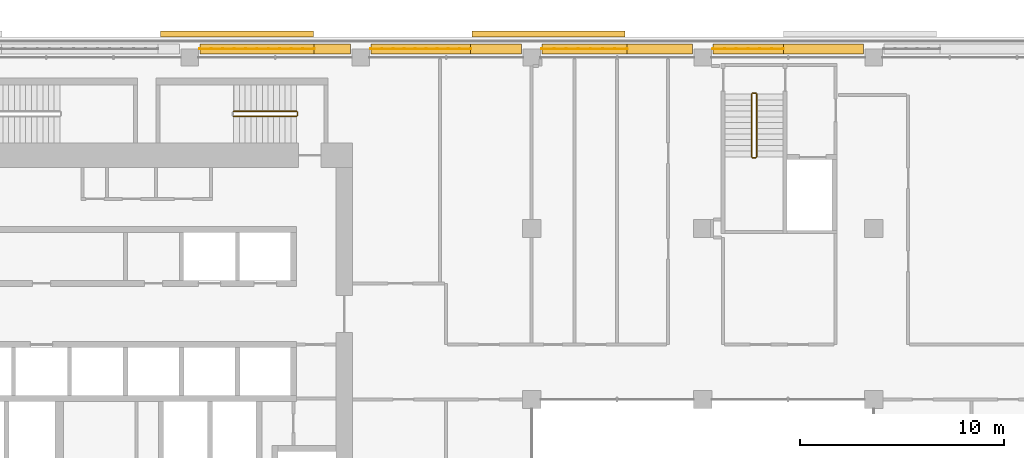
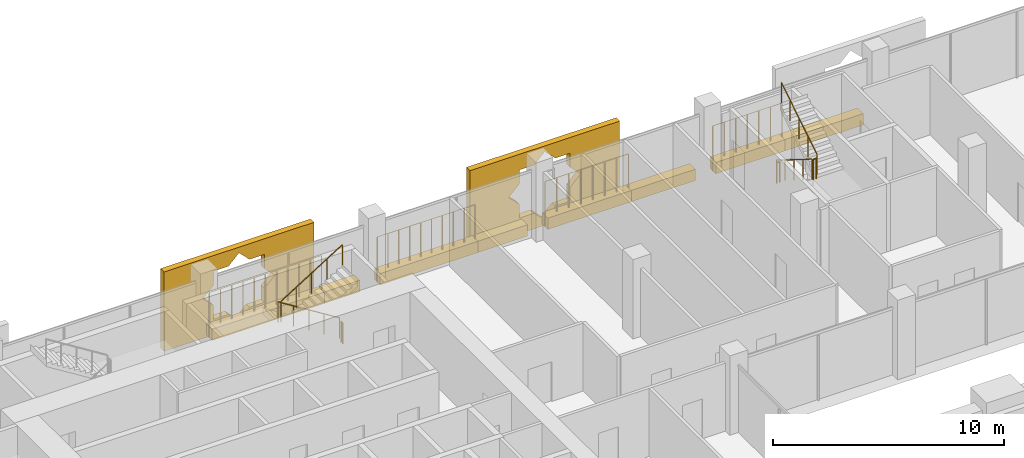
# One storey, part 22 of 23: 11 railings, 10 coverings.
"""IFC4 building model written with IfcOpenShell, lengths in metres."""

import ifcopenshell
import ifcopenshell.guid

model = None  # the IFC model being written
_history = None  # IfcOwnerHistory: only IFC2X3 demands one
_inside = {}  # id of a spatial element -> (the spatial element, [elements in it])
_under = {}  # id of a project, library or spatial element -> (it, [spatial elements below it])
_declared = {}  # id of a project -> (the project, [libraries it declares])
_typed = {}  # id of a type object -> (the type object, [elements of that type])
_made_of = {}  # id of a material, layer set ... -> (it, [elements and type objects made of it])


def new_model(schema):
    """Start an empty IFC model of exactly this schema.

    Asked for "IFC4X3", IfcOpenShell would pick the latest addendum, in which some entities
    have other attributes; the version numbers below select the first issue.
    IFC2X3 requires an IfcOwnerHistory on every rooted entity: one is made here for all.
    """
    global model, _history
    if schema == "IFC4X3":
        model = ifcopenshell.file(schema_version=(4, 3, 0, 0))
    else:
        model = ifcopenshell.file(schema=schema)
    _inside.clear()
    _under.clear()
    _declared.clear()
    _typed.clear()
    _made_of.clear()
    _history = None
    if model.schema == "IFC2X3":
        org = make("IfcOrganization", Name="unknown")
        user = make(
            "IfcPersonAndOrganization",
            ThePerson=make("IfcPerson", FamilyName="unknown"),
            TheOrganization=org,
        )
        app = make(
            "IfcApplication",
            ApplicationDeveloper=org,
            Version="unknown",
            ApplicationFullName="unknown",
            ApplicationIdentifier="unknown",
        )
        _history = make(
            "IfcOwnerHistory",
            OwningUser=user,
            OwningApplication=app,
            ChangeAction="ADDED",
            CreationDate=0,
        )
    return model


def make(cls, **values):
    """One entity of the class cls with the attributes given. An attribute that is None is left unset."""
    return model.create_entity(
        cls, **{name: value for name, value in values.items() if value is not None}
    )


def rooted(cls, **values):
    """An entity with a GlobalId (a new one), such as an element, a storey or a relation."""
    return make(cls, GlobalId=ifcopenshell.guid.new(), OwnerHistory=_history, **values)


def si_unit(unit_type, name, prefix=None):
    """IfcSIUnit, for example si_unit("LENGTHUNIT", "METRE", prefix="MILLI")."""
    return make("IfcSIUnit", UnitType=unit_type, Prefix=prefix, Name=name)


def assignment(units):
    """IfcUnitAssignment: the units of a project."""
    return None if units is None else make("IfcUnitAssignment", Units=units)


def point(xyz):
    """IfcCartesianPoint."""
    return None if xyz is None else make("IfcCartesianPoint", Coordinates=xyz)


def direction(xyz):
    """IfcDirection."""
    return None if xyz is None else make("IfcDirection", DirectionRatios=xyz)


def frame(location, z_axis=None, x_axis=None):
    """IfcAxis2Placement3D, a coordinate frame: its origin and axes. An axis left out is left unset."""
    return make(
        "IfcAxis2Placement3D",
        Location=point(location),
        Axis=direction(z_axis),
        RefDirection=direction(x_axis),
    )


def frame_2d(location, x_axis=None):
    """IfcAxis2Placement2D, a coordinate frame in the plane: its origin and x axis."""
    return make(
        "IfcAxis2Placement2D", Location=point(location), RefDirection=direction(x_axis)
    )


def origin():
    """The frame at (0, 0, 0) with its axes left unset."""
    return frame((0.0, 0.0, 0.0))


def origin_2d():
    """The frame at (0, 0) in the plane with its x axis left unset."""
    return frame_2d((0.0, 0.0))


def place(relative_to, where):
    """IfcLocalPlacement: puts the frame where relative to a parent placement (None: the world)."""
    return make(
        "IfcLocalPlacement", PlacementRelTo=relative_to, RelativePlacement=where
    )


def context(
    kind, dimensions, precision=None, world=None, true_north=None, identifier=None
):
    """IfcGeometricRepresentationContext, for example the 3D "Model" context."""
    return make(
        "IfcGeometricRepresentationContext",
        ContextIdentifier=identifier,
        ContextType=kind,
        CoordinateSpaceDimension=dimensions,
        Precision=precision,
        WorldCoordinateSystem=world,
        TrueNorth=true_north,
    )


def subcontext(parent, identifier, kind, view, scale=None):
    """IfcGeometricRepresentationSubContext, for example "Body" below "Model"."""
    return make(
        "IfcGeometricRepresentationSubContext",
        ContextIdentifier=identifier,
        ContextType=kind,
        ParentContext=parent,
        TargetScale=scale,
        TargetView=view,
    )


def project(units=None, contexts=None):
    """IfcProject with its units and contexts."""
    return rooted(
        "IfcProject",
        Name="project",
        RepresentationContexts=contexts,
        UnitsInContext=assignment(units),
    )


def spatial(cls, under=None, at=None, **own):
    """A site, building, storey or space (cls), placed at a placement, below another one or the project."""
    s = rooted(cls, ObjectPlacement=at, **own)
    if under is not None:
        _under.setdefault(under.id(), (under, []))[1].append(s)
    return s


def polyline(points):
    """IfcPolyline through the points."""
    return make("IfcPolyline", Points=[point(p) for p in points])


def profile(cls, at=None, kind="AREA", **sizes):
    """A parametric profile (cls). Its sizes go by their IFC names, for example OverallWidth=200.0."""
    return make(cls, ProfileType=kind, Position=at, **sizes)


def rectangle(**sizes):
    """IfcRectangleProfileDef."""
    return profile("IfcRectangleProfileDef", **sizes)


def circle(**sizes):
    """IfcCircleProfileDef."""
    return profile("IfcCircleProfileDef", **sizes)


def outline(outer, holes=None, kind="AREA"):
    """IfcArbitraryClosedProfileDef: a profile drawn as a closed curve; with holes, ...WithVoids."""
    if holes is None:
        return make("IfcArbitraryClosedProfileDef", ProfileType=kind, OuterCurve=outer)
    return make(
        "IfcArbitraryProfileDefWithVoids",
        ProfileType=kind,
        OuterCurve=outer,
        InnerCurves=holes,
    )


def extrude(swept, where, along, depth):
    """IfcExtrudedAreaSolid: the profile swept, set in the frame where, extruded along a direction by depth."""
    return make(
        "IfcExtrudedAreaSolid",
        SweptArea=swept,
        Position=where,
        ExtrudedDirection=direction(along),
        Depth=depth,
    )


def shape(context_of_items, identifier, shape_type, items):
    """IfcShapeRepresentation: the items that make up one representation, for example the "Body"."""
    return make(
        "IfcShapeRepresentation",
        ContextOfItems=context_of_items,
        RepresentationIdentifier=identifier,
        RepresentationType=shape_type,
        Items=items,
    )


def material(Name=None, Category=None):
    """IfcMaterial."""
    return make("IfcMaterial", Name=Name, Category=Category)


def material_profile(
    of_material, cross_section, Name=None, Category=None, Priority=None
):
    """IfcMaterialProfile: a cross section and its material."""
    return make(
        "IfcMaterialProfile",
        Name=Name,
        Material=of_material,
        Profile=cross_section,
        Priority=Priority,
        Category=Category,
    )


def profile_set(profiles, Name=None, composite=None):
    """IfcMaterialProfileSet."""
    return make(
        "IfcMaterialProfileSet",
        Name=Name,
        MaterialProfiles=profiles,
        CompositeProfile=composite,
    )


def made_of(thing, what):
    """Note that an element or type object is made of a material, layer set ...; save() writes the relation."""
    if what is not None:
        _made_of.setdefault(what.id(), (what, []))[1].append(thing)
    return thing


def type_object(cls, material=None, **own):
    """A type object (cls), such as IfcWallType, which elements share."""
    return made_of(rooted(cls, **own), material)


def element(
    cls,
    number,
    at=None,
    inside=None,
    cuts=None,
    type_object=None,
    material=None,
    context=None,
    identifier="Body",
    shape_type=None,
    held_by="IfcProductDefinitionShape",
    body=None,
    shapes=None,
    **own,
):
    """One element of the class cls, such as IfcWall. Its Tag is "e" and its number.

    at: its placement. inside: the storey or other place that contains it. cuts: it is an
    opening in that element (IfcRelVoidsElement). A single representation is given by context,
    identifier, shape_type and body (its items); several are given by shapes. held_by: the class
    of the entity that holds the representations. save() writes the other relations.
    """
    e = rooted(cls, Tag="e%d" % number, ObjectPlacement=at, **own)
    if body is not None:
        shapes = [shape(context, identifier, shape_type, body)]
    if shapes is not None:
        e.Representation = make(held_by, Representations=shapes)
    if inside is not None:
        _inside.setdefault(inside.id(), (inside, []))[1].append(e)
    if cuts is not None:
        rooted(
            "IfcRelVoidsElement", RelatingBuildingElement=cuts, RelatedOpeningElement=e
        )
    if type_object is not None:
        _typed.setdefault(type_object.id(), (type_object, []))[1].append(e)
    return made_of(e, material)


def aggregate(whole, parts):
    """IfcRelAggregates: a whole, such as a stair, and the parts it consists of."""
    return rooted("IfcRelAggregates", RelatingObject=whole, RelatedObjects=parts)


def save(model, path):
    """Write the relations noted so far, then the file.

    IfcRelAggregates (storeys below a building ...), IfcRelContainedInSpatialStructure (elements
    in a storey), IfcRelDefinesByType, IfcRelAssociatesMaterial and IfcRelDeclares: one each for
    every whole, place, type object, material and project.
    """
    for whole, parts in _under.values():
        aggregate(whole, parts)
    for where, things in _inside.values():
        rooted(
            "IfcRelContainedInSpatialStructure",
            RelatedElements=things,
            RelatingStructure=where,
        )
    for kind, things in _typed.values():
        rooted("IfcRelDefinesByType", RelatedObjects=things, RelatingType=kind)
    for what, things in _made_of.values():
        rooted("IfcRelAssociatesMaterial", RelatedObjects=things, RelatingMaterial=what)
    for by, libraries in _declared.values():
        rooted("IfcRelDeclares", RelatingContext=by, RelatedDefinitions=libraries)
    model.write(path)


model = new_model("IFC4")

# Units and contexts
model_context = context("Model", 3, precision=1e-05, world=origin(), true_north=direction((0.0, 1.0)))
body_context = subcontext(model_context, "Body", "Model", "MODEL_VIEW")
ifc_project = project(units=[si_unit("LENGTHUNIT", "METRE"), si_unit("AREAUNIT", "SQUARE_METRE"), si_unit("VOLUMEUNIT", "CUBIC_METRE"), si_unit("PLANEANGLEUNIT", "RADIAN"), si_unit("MASSUNIT", "GRAM", prefix="KILO")], contexts=[model_context])

# Site, building, storey
site_placement = place(None, origin())
site = spatial("IfcSite", under=ifc_project, at=site_placement, CompositionType="ELEMENT")
building_placement = place(site_placement, origin())
building = spatial("IfcBuilding", under=site, at=building_placement, Name="Kawkab Arch Medical Tower", CompositionType="ELEMENT")
storey_placement = place(building_placement, frame((0.0, 0.0, 222.199951171875)))
storey = spatial("IfcBuildingStorey", under=building, at=storey_placement, Name="L51", CompositionType="ELEMENT", Elevation=222.199951171875)

# Coverings
ifc_material_1 = material(Name="Bronze anodised aluminium mashrabiya panel, eight-point star pattern", Category="aluminium")
ifc_material_profile_1 = material_profile(ifc_material_1, outline(polyline([(-3.75, -2.10009765625), (3.75, -2.10009765625), (3.75, 2.10009765625), (-3.75, 2.10009765625), (-3.75, -2.10009765625)]), holes=[polyline([(1.800048828125, 0.0), (1.272705078125, 0.527099609375), (1.272705078125, 1.272705078125), (0.527099609375, 1.272705078125), (0.0, 1.800048828125), (-0.527099609375, 1.272705078125), (-1.272705078125, 1.272705078125), (-1.272705078125, 0.527099609375), (-1.800048828125, 0.0), (-1.272705078125, -0.527099609375), (-1.272705078125, -1.272705078125), (-0.527099609375, -1.272705078125), (0.0, -1.800048828125), (0.527099609375, -1.272705078125), (1.272705078125, -1.272705078125), (1.272705078125, -0.527099609375), (1.800048828125, 0.0)])]), Name="Mashrabiya panel 7500x4200")
ifc_profile_set_1 = profile_set([ifc_material_profile_1], Name="Bronze anodised aluminium mashrabiya panel, eight-point star pattern")
covering_type_1 = type_object("IfcCoveringType", Name="Mashrabiya panel 7500 x 4200", PredefinedType="USERDEFINED", material=ifc_profile_set_1)
for number, where, z_axis, x_axis, name in (
    (1, (19.124267578125, 1.0, 1.699951171875), (0.0, 1.0, 0.0), (-1.0, 0.0, 0.0), "Mashrabiya panel L51.LOG-01-02.6"),
    (2, (34.42529296875, 1.0, 1.699951171875), (0.0, 1.0, 0.0), (-1.0, 0.0, 0.0), "Mashrabiya panel L51.LOG-01-02.7"),
):
    element("IfcCovering", number, at=place(storey_placement, frame(where, z_axis=z_axis, x_axis=x_axis)), inside=storey, type_object=covering_type_1, Name=name, ObjectType="SCREEN", PredefinedType="USERDEFINED", context=body_context, shape_type="SweptSolid", body=[
        extrude(outline(polyline([(-3.75, -2.10009765625), (3.75, -2.10009765625), (3.75, 2.10009765625), (-3.75, 2.10009765625), (-3.75, -2.10009765625)]), holes=[polyline([(1.800048828125, 0.0), (1.272705078125, 0.527099609375), (1.272705078125, 1.272705078125), (0.527099609375, 1.272705078125), (0.0, 1.800048828125), (-0.527099609375, 1.272705078125), (-1.272705078125, 1.272705078125), (-1.272705078125, 0.527099609375), (-1.800048828125, 0.0), (-1.272705078125, -0.527099609375), (-1.272705078125, -1.272705078125), (-0.527099609375, -1.272705078125), (0.0, -1.800048828125), (0.527099609375, -1.272705078125), (1.272705078125, -1.272705078125), (1.272705078125, -0.527099609375), (1.800048828125, 0.0)])]), origin(), (0.0, 0.0, 1.0), 0.300048828125),
    ])
ifc_material_2 = material(Name="Planting soil in a precast trough", Category="concrete")
ifc_material_profile_2 = material_profile(ifc_material_2, rectangle(XDim=0.5, YDim=0.60009765625, at=origin_2d()), Name="Trough 500x600")
ifc_profile_set_2 = profile_set([ifc_material_profile_2], Name="Planting soil in a precast trough")
covering_type_2 = type_object("IfcCoveringType", Name="Planter trough 500 x 600", PredefinedType="USERDEFINED", material=ifc_profile_set_2)
covering_1_placement = place(storey_placement, frame((17.304931640625, 0.419921875, 0.300048828125), z_axis=(1.0, 0.0, 0.0), x_axis=(0.0, 1.0, 0.0)))
element("IfcCovering", 3, at=covering_1_placement, inside=storey, type_object=covering_type_2, Name="Planter L51.LOG-01-02.19", ObjectType="PLANTER", PredefinedType="USERDEFINED", context=body_context, shape_type="SweptSolid", body=[
    extrude(rectangle(XDim=0.5, YDim=0.60009765625, at=origin_2d()), origin(), (0.0, 0.0, 1.0), 5.614013671875),
])
covering_2_placement = place(storey_placement, frame((22.9189453125, 0.419921875, 0.300048828125), z_axis=(1.0, 0.0, 0.0), x_axis=(0.0, 1.0, 0.0)))
element("IfcCovering", 4, at=covering_2_placement, inside=storey, type_object=covering_type_2, Name="Planter L51.LOG-01-02.20", ObjectType="PLANTER", PredefinedType="USERDEFINED", context=body_context, shape_type="SweptSolid", body=[
    extrude(rectangle(XDim=0.5, YDim=0.60009765625, at=origin_2d()), origin(), (0.0, 0.0, 1.0), 1.776123046875),
])
covering_3_placement = place(storey_placement, frame((25.705078125, 0.419921875, 0.300048828125), z_axis=(1.0, 0.0, 0.0), x_axis=(0.0, 1.0, 0.0)))
element("IfcCovering", 5, at=covering_3_placement, inside=storey, type_object=covering_type_2, Name="Planter L51.LOG-01-02.21", ObjectType="PLANTER", PredefinedType="USERDEFINED", context=body_context, shape_type="SweptSolid", body=[
    extrude(rectangle(XDim=0.5, YDim=0.60009765625, at=origin_2d()), origin(), (0.0, 0.0, 1.0), 4.89501953125),
])
covering_4_placement = place(storey_placement, frame((30.60009765625, 0.419921875, 0.300048828125), z_axis=(1.0, 0.0, 0.0), x_axis=(0.0, 1.0, 0.0)))
element("IfcCovering", 6, at=covering_4_placement, inside=storey, type_object=covering_type_2, Name="Planter L51.LOG-01-02.22", ObjectType="PLANTER", PredefinedType="USERDEFINED", context=body_context, shape_type="SweptSolid", body=[
    extrude(rectangle(XDim=0.5, YDim=0.60009765625, at=origin_2d()), origin(), (0.0, 0.0, 1.0), 2.494873046875),
])
covering_5_placement = place(storey_placement, frame((34.10498046875, 0.419921875, 0.300048828125), z_axis=(1.0, 0.0, 0.0), x_axis=(0.0, 1.0, 0.0)))
element("IfcCovering", 7, at=covering_5_placement, inside=storey, type_object=covering_type_2, Name="Planter L51.LOG-01-02.23", ObjectType="PLANTER", PredefinedType="USERDEFINED", context=body_context, shape_type="SweptSolid", body=[
    extrude(rectangle(XDim=0.5, YDim=0.60009765625, at=origin_2d()), origin(), (0.0, 0.0, 1.0), 4.176025390625),
])
covering_6_placement = place(storey_placement, frame((38.281005859375, 0.419921875, 0.300048828125), z_axis=(1.0, 0.0, 0.0), x_axis=(0.0, 1.0, 0.0)))
element("IfcCovering", 8, at=covering_6_placement, inside=storey, type_object=covering_type_2, Name="Planter L51.LOG-01-02.24", ObjectType="PLANTER", PredefinedType="USERDEFINED", context=body_context, shape_type="SweptSolid", body=[
    extrude(rectangle(XDim=0.5, YDim=0.60009765625, at=origin_2d()), origin(), (0.0, 0.0, 1.0), 3.214111328125),
])
covering_7_placement = place(storey_placement, frame((42.5048828125, 0.419921875, 0.300048828125), z_axis=(1.0, 0.0, 0.0), x_axis=(0.0, 1.0, 0.0)))
element("IfcCovering", 9, at=covering_7_placement, inside=storey, type_object=covering_type_2, Name="Planter L51.LOG-01-02.25", ObjectType="PLANTER", PredefinedType="USERDEFINED", context=body_context, shape_type="SweptSolid", body=[
    extrude(rectangle(XDim=0.5, YDim=0.60009765625, at=origin_2d()), origin(), (0.0, 0.0, 1.0), 3.4580078125),
])
covering_8_placement = place(storey_placement, frame((45.962890625, 0.419921875, 0.300048828125), z_axis=(1.0, 0.0, 0.0), x_axis=(0.0, 1.0, 0.0)))
element("IfcCovering", 10, at=covering_8_placement, inside=storey, type_object=covering_type_2, Name="Planter L51.LOG-01-02.26", ObjectType="PLANTER", PredefinedType="USERDEFINED", context=body_context, shape_type="SweptSolid", body=[
    extrude(rectangle(XDim=0.5, YDim=0.60009765625, at=origin_2d()), origin(), (0.0, 0.0, 1.0), 3.93212890625),
])

# Railings
ifc_material_3 = material(Name="Bronze anodised aluminium trellis for climbing plants", Category="aluminium")
railing_type_1 = type_object("IfcRailingType", Name="Planting trellis 2400", PredefinedType="USERDEFINED", material=ifc_material_3)
railing_1_placement = place(storey_placement, frame((17.304931640625, 0.419921875, 0.0)))
element("IfcRailing", 11, at=railing_1_placement, inside=storey, type_object=railing_type_1, Name="Planting trellis L51.LOG-01-02.19", ObjectType="TRELLIS", PredefinedType="USERDEFINED", context=body_context, shape_type="SweptSolid", body=[
    extrude(circle(Radius=0.01513671875, at=origin_2d()), frame((0.0, 0.0, 2.384765625), z_axis=(1.0, 0.0, 0.0), x_axis=(0.0, 1.0, 0.0)), (0.0, 0.0, 1.0), 5.614013671875),
    extrude(circle(Radius=0.030029296875, at=origin_2d()), origin(), (0.0, 0.0, 1.0), 2.369873046875),
    extrude(circle(Radius=0.030029296875, at=origin_2d()), frame((0.5615234375, 0.0, 0.0)), (0.0, 0.0, 1.0), 2.369873046875),
    extrude(circle(Radius=0.030029296875, at=origin_2d()), frame((1.122802734375, 0.0, 0.0)), (0.0, 0.0, 1.0), 2.369873046875),
    extrude(circle(Radius=0.030029296875, at=origin_2d()), frame((1.68408203125, 0.0, 0.0)), (0.0, 0.0, 1.0), 2.369873046875),
    extrude(circle(Radius=0.030029296875, at=origin_2d()), frame((2.24560546875, 0.0, 0.0)), (0.0, 0.0, 1.0), 2.369873046875),
    extrude(circle(Radius=0.030029296875, at=origin_2d()), frame((2.80712890625, 0.0, 0.0)), (0.0, 0.0, 1.0), 2.369873046875),
    extrude(circle(Radius=0.030029296875, at=origin_2d()), frame((3.368408203125, 0.0, 0.0)), (0.0, 0.0, 1.0), 2.369873046875),
    extrude(circle(Radius=0.030029296875, at=origin_2d()), frame((3.9296875, 0.0, 0.0)), (0.0, 0.0, 1.0), 2.369873046875),
    extrude(circle(Radius=0.030029296875, at=origin_2d()), frame((4.4912109375, 0.0, 0.0)), (0.0, 0.0, 1.0), 2.369873046875),
    extrude(circle(Radius=0.030029296875, at=origin_2d()), frame((5.052734375, 0.0, 0.0)), (0.0, 0.0, 1.0), 2.369873046875),
    extrude(circle(Radius=0.030029296875, at=origin_2d()), frame((5.614013671875, 0.0, 0.0)), (0.0, 0.0, 1.0), 2.369873046875),
])
railing_2_placement = place(storey_placement, frame((25.705078125, 0.419921875, 0.0)))
element("IfcRailing", 12, at=railing_2_placement, inside=storey, type_object=railing_type_1, Name="Planting trellis L51.LOG-01-02.21", ObjectType="TRELLIS", PredefinedType="USERDEFINED", context=body_context, shape_type="SweptSolid", body=[
    extrude(circle(Radius=0.01513671875, at=origin_2d()), frame((0.0, 0.0, 2.384765625), z_axis=(1.0, 0.0, 0.0), x_axis=(0.0, 1.0, 0.0)), (0.0, 0.0, 1.0), 4.89501953125),
    extrude(circle(Radius=0.030029296875, at=origin_2d()), origin(), (0.0, 0.0, 1.0), 2.369873046875),
    extrude(circle(Radius=0.030029296875, at=origin_2d()), frame((0.5439453125, 0.0, 0.0)), (0.0, 0.0, 1.0), 2.369873046875),
    extrude(circle(Radius=0.030029296875, at=origin_2d()), frame((1.087890625, 0.0, 0.0)), (0.0, 0.0, 1.0), 2.369873046875),
    extrude(circle(Radius=0.030029296875, at=origin_2d()), frame((1.631591796875, 0.0, 0.0)), (0.0, 0.0, 1.0), 2.369873046875),
    extrude(circle(Radius=0.030029296875, at=origin_2d()), frame((2.175537109375, 0.0, 0.0)), (0.0, 0.0, 1.0), 2.369873046875),
    extrude(circle(Radius=0.030029296875, at=origin_2d()), frame((2.719482421875, 0.0, 0.0)), (0.0, 0.0, 1.0), 2.369873046875),
    extrude(circle(Radius=0.030029296875, at=origin_2d()), frame((3.263427734375, 0.0, 0.0)), (0.0, 0.0, 1.0), 2.369873046875),
    extrude(circle(Radius=0.030029296875, at=origin_2d()), frame((3.80712890625, 0.0, 0.0)), (0.0, 0.0, 1.0), 2.369873046875),
    extrude(circle(Radius=0.030029296875, at=origin_2d()), frame((4.35107421875, 0.0, 0.0)), (0.0, 0.0, 1.0), 2.369873046875),
    extrude(circle(Radius=0.030029296875, at=origin_2d()), frame((4.89501953125, 0.0, 0.0)), (0.0, 0.0, 1.0), 2.369873046875),
])
railing_3_placement = place(storey_placement, frame((34.10498046875, 0.419921875, 0.0)))
element("IfcRailing", 13, at=railing_3_placement, inside=storey, type_object=railing_type_1, Name="Planting trellis L51.LOG-01-02.23", ObjectType="TRELLIS", PredefinedType="USERDEFINED", context=body_context, shape_type="SweptSolid", body=[
    extrude(circle(Radius=0.01513671875, at=origin_2d()), frame((0.0, 0.0, 2.384765625), z_axis=(1.0, 0.0, 0.0), x_axis=(0.0, 1.0, 0.0)), (0.0, 0.0, 1.0), 4.176025390625),
    extrude(circle(Radius=0.030029296875, at=origin_2d()), origin(), (0.0, 0.0, 1.0), 2.369873046875),
    extrude(circle(Radius=0.030029296875, at=origin_2d()), frame((0.5966796875, 0.0, 0.0)), (0.0, 0.0, 1.0), 2.369873046875),
    extrude(circle(Radius=0.030029296875, at=origin_2d()), frame((1.193115234375, 0.0, 0.0)), (0.0, 0.0, 1.0), 2.369873046875),
    extrude(circle(Radius=0.030029296875, at=origin_2d()), frame((1.789794921875, 0.0, 0.0)), (0.0, 0.0, 1.0), 2.369873046875),
    extrude(circle(Radius=0.030029296875, at=origin_2d()), frame((2.38623046875, 0.0, 0.0)), (0.0, 0.0, 1.0), 2.369873046875),
    extrude(circle(Radius=0.030029296875, at=origin_2d()), frame((2.98291015625, 0.0, 0.0)), (0.0, 0.0, 1.0), 2.369873046875),
    extrude(circle(Radius=0.030029296875, at=origin_2d()), frame((3.579345703125, 0.0, 0.0)), (0.0, 0.0, 1.0), 2.369873046875),
    extrude(circle(Radius=0.030029296875, at=origin_2d()), frame((4.176025390625, 0.0, 0.0)), (0.0, 0.0, 1.0), 2.369873046875),
])
railing_4_placement = place(storey_placement, frame((42.5048828125, 0.419921875, 0.0)))
element("IfcRailing", 14, at=railing_4_placement, inside=storey, type_object=railing_type_1, Name="Planting trellis L51.LOG-01-02.25", ObjectType="TRELLIS", PredefinedType="USERDEFINED", context=body_context, shape_type="SweptSolid", body=[
    extrude(circle(Radius=0.01513671875, at=origin_2d()), frame((0.0, 0.0, 2.384765625), z_axis=(1.0, 0.0, 0.0), x_axis=(0.0, 1.0, 0.0)), (0.0, 0.0, 1.0), 3.4580078125),
    extrude(circle(Radius=0.030029296875, at=origin_2d()), origin(), (0.0, 0.0, 1.0), 2.369873046875),
    extrude(circle(Radius=0.030029296875, at=origin_2d()), frame((0.576416015625, 0.0, 0.0)), (0.0, 0.0, 1.0), 2.369873046875),
    extrude(circle(Radius=0.030029296875, at=origin_2d()), frame((1.152587890625, 0.0, 0.0)), (0.0, 0.0, 1.0), 2.369873046875),
    extrude(circle(Radius=0.030029296875, at=origin_2d()), frame((1.72900390625, 0.0, 0.0)), (0.0, 0.0, 1.0), 2.369873046875),
    extrude(circle(Radius=0.030029296875, at=origin_2d()), frame((2.305419921875, 0.0, 0.0)), (0.0, 0.0, 1.0), 2.369873046875),
    extrude(circle(Radius=0.030029296875, at=origin_2d()), frame((2.881591796875, 0.0, 0.0)), (0.0, 0.0, 1.0), 2.369873046875),
    extrude(circle(Radius=0.030029296875, at=origin_2d()), frame((3.4580078125, 0.0, 0.0)), (0.0, 0.0, 1.0), 2.369873046875),
])
ifc_material_4 = material(Name="Stainless steel", Category="steel")
railing_type_2 = type_object("IfcRailingType", Name="Stair guard 1100", PredefinedType="GUARDRAIL", material=ifc_material_4)
railing_5_placement = place(storey_placement, frame((22.050048828125, -2.64990234375, 0.175048828125)))
element("IfcRailing", 15, at=railing_5_placement, inside=storey, type_object=railing_type_2, Name="L51 ST4 stair guard 1", PredefinedType="GUARDRAIL", context=body_context, shape_type="SweptSolid", body=[
    extrude(circle(Radius=0.02392578125, at=origin_2d()), frame((0.0, 0.0, 1.076171875), z_axis=(-0.847998304005, 0.0, 0.529998940003), x_axis=(0.0, -1.0, 0.0)), (0.0, 0.0, 1.0), 3.632080078125),
    extrude(circle(Radius=0.02099609375, at=origin_2d()), origin(), (0.0, 0.0, 1.0), 1.052001953125),
    extrude(circle(Radius=0.02099609375, at=origin_2d()), frame((-0.77001953125, 0.0, 0.481201171875)), (0.0, 0.0, 1.0), 1.052001953125),
    extrude(circle(Radius=0.02099609375, at=origin_2d()), frame((-1.5400390625, 0.0, 0.96240234375)), (0.0, 0.0, 1.0), 1.052001953125),
    extrude(circle(Radius=0.02099609375, at=origin_2d()), frame((-2.31005859375, 0.0, 1.44384765625)), (0.0, 0.0, 1.0), 1.052001953125),
    extrude(circle(Radius=0.02099609375, at=origin_2d()), frame((-3.080078125, 0.0, 1.925048828125)), (0.0, 0.0, 1.0), 1.052001953125),
])
railing_6_placement = place(storey_placement, frame((18.969970703125, -2.89990234375, 2.275146484375)))
element("IfcRailing", 16, at=railing_6_placement, inside=storey, type_object=railing_type_2, Name="L51 ST4 stair guard 3", PredefinedType="GUARDRAIL", context=body_context, shape_type="SweptSolid", body=[
    extrude(circle(Radius=0.02392578125, at=origin_2d()), frame((0.0, 0.0, 1.076171875), z_axis=(0.848028513186, 0.0, 0.529950602248), x_axis=(0.0, 1.0, 0.0)), (0.0, 0.0, 1.0), 3.632080078125),
    extrude(circle(Radius=0.02099609375, at=origin_2d()), origin(), (0.0, 0.0, 1.0), 1.052001953125),
    extrude(circle(Radius=0.02099609375, at=origin_2d()), frame((0.77001953125, 0.0, 0.481201171875)), (0.0, 0.0, 1.0), 1.052001953125),
    extrude(circle(Radius=0.02099609375, at=origin_2d()), frame((1.5400390625, 0.0, 0.96240234375)), (0.0, 0.0, 1.0), 1.052001953125),
    extrude(circle(Radius=0.02099609375, at=origin_2d()), frame((2.31005859375, 0.0, 1.443603515625)), (0.0, 0.0, 1.0), 1.052001953125),
    extrude(circle(Radius=0.02099609375, at=origin_2d()), frame((3.080078125, 0.0, 1.9248046875)), (0.0, 0.0, 1.0), 1.052001953125),
])
railing_7_placement = place(storey_placement, frame((22.10009765625, -2.699951171875, 0.0)))
element("IfcRailing", 17, at=railing_7_placement, inside=storey, type_object=railing_type_2, Name="L51 ST4 stair guard 4", PredefinedType="GUARDRAIL", context=body_context, shape_type="SweptSolid", body=[
    extrude(circle(Radius=0.02392578125, at=origin_2d()), frame((0.0, 0.0, 1.076171875), z_axis=(0.0, -1.0, 0.0), x_axis=(1.0, 0.0, 0.0)), (0.0, 0.0, 1.0), 0.150146484375),
    extrude(circle(Radius=0.02099609375, at=origin_2d()), origin(), (0.0, 0.0, 1.0), 1.052001953125),
    extrude(circle(Radius=0.02099609375, at=origin_2d()), frame((0.0, -0.150146484375, 0.0)), (0.0, 0.0, 1.0), 1.052001953125),
])
railing_8_placement = place(storey_placement, frame((44.39990234375, -1.800048828125, 0.175048828125)))
element("IfcRailing", 18, at=railing_8_placement, inside=storey, type_object=railing_type_2, Name="L51 ST5 stair guard 1", PredefinedType="GUARDRAIL", context=body_context, shape_type="SweptSolid", body=[
    extrude(circle(Radius=0.02392578125, at=origin_2d()), frame((0.0, 0.0, 1.076171875), z_axis=(0.0, -0.847979421464, 0.530029150871), x_axis=(1.0, 0.0, 0.0)), (0.0, 0.0, 1.0), 3.632080078125),
    extrude(circle(Radius=0.02099609375, at=origin_2d()), origin(), (0.0, 0.0, 1.0), 1.052001953125),
    extrude(circle(Radius=0.02099609375, at=origin_2d()), frame((0.0, -0.77001953125, 0.481201171875)), (0.0, 0.0, 1.0), 1.052001953125),
    extrude(circle(Radius=0.02099609375, at=origin_2d()), frame((0.0, -1.5400390625, 0.96240234375)), (0.0, 0.0, 1.0), 1.052001953125),
    extrude(circle(Radius=0.02099609375, at=origin_2d()), frame((0.0, -2.309814453125, 1.44384765625)), (0.0, 0.0, 1.0), 1.052001953125),
    extrude(circle(Radius=0.02099609375, at=origin_2d()), frame((0.0, -3.079833984375, 1.925048828125)), (0.0, 0.0, 1.0), 1.052001953125),
])
railing_9_placement = place(storey_placement, frame((44.449951171875, -4.929931640625, 2.10009765625)))
element("IfcRailing", 19, at=railing_9_placement, inside=storey, type_object=railing_type_2, Name="L51 ST5 stair guard 2", PredefinedType="GUARDRAIL", context=body_context, shape_type="SweptSolid", body=[
    extrude(circle(Radius=0.02392578125, at=origin_2d()), frame((0.0, 0.0, 1.076171875), z_axis=(1.0, 0.0, 0.0), x_axis=(0.0, 1.0, 0.0)), (0.0, 0.0, 1.0), 0.150146484375),
    extrude(circle(Radius=0.02099609375, at=origin_2d()), origin(), (0.0, 0.0, 1.0), 1.052001953125),
    extrude(circle(Radius=0.02099609375, at=origin_2d()), frame((0.150146484375, 0.0, 0.0)), (0.0, 0.0, 1.0), 1.052001953125),
])
railing_10_placement = place(storey_placement, frame((44.64990234375, -4.8798828125, 2.275146484375)))
element("IfcRailing", 20, at=railing_10_placement, inside=storey, type_object=railing_type_2, Name="L51 ST5 stair guard 3", PredefinedType="GUARDRAIL", context=body_context, shape_type="SweptSolid", body=[
    extrude(circle(Radius=0.02392578125, at=origin_2d()), frame((0.0, 0.0, 1.076171875), z_axis=(0.0, 0.848009633417, 0.529980812513), x_axis=(-1.0, 0.0, 0.0)), (0.0, 0.0, 1.0), 3.6318359375),
    extrude(circle(Radius=0.02099609375, at=origin_2d()), origin(), (0.0, 0.0, 1.0), 1.052001953125),
    extrude(circle(Radius=0.02099609375, at=origin_2d()), frame((0.0, 0.77001953125, 0.481201171875)), (0.0, 0.0, 1.0), 1.052001953125),
    extrude(circle(Radius=0.02099609375, at=origin_2d()), frame((0.0, 1.5400390625, 0.96240234375)), (0.0, 0.0, 1.0), 1.052001953125),
    extrude(circle(Radius=0.02099609375, at=origin_2d()), frame((0.0, 2.309814453125, 1.443603515625)), (0.0, 0.0, 1.0), 1.052001953125),
    extrude(circle(Radius=0.02099609375, at=origin_2d()), frame((0.0, 3.079833984375, 1.9248046875)), (0.0, 0.0, 1.0), 1.052001953125),
])
railing_11_placement = place(storey_placement, frame((44.449951171875, -1.75, 0.0)))
element("IfcRailing", 21, at=railing_11_placement, inside=storey, type_object=railing_type_2, Name="L51 ST5 stair guard 4", PredefinedType="GUARDRAIL", context=body_context, shape_type="SweptSolid", body=[
    extrude(circle(Radius=0.02392578125, at=origin_2d()), frame((0.0, 0.0, 1.076171875), z_axis=(1.0, 0.0, 0.0), x_axis=(0.0, 1.0, 0.0)), (0.0, 0.0, 1.0), 0.150146484375),
    extrude(circle(Radius=0.02099609375, at=origin_2d()), origin(), (0.0, 0.0, 1.0), 1.052001953125),
    extrude(circle(Radius=0.02099609375, at=origin_2d()), frame((0.150146484375, 0.0, 0.0)), (0.0, 0.0, 1.0), 1.052001953125),
])

save(model, "model.ifc")
